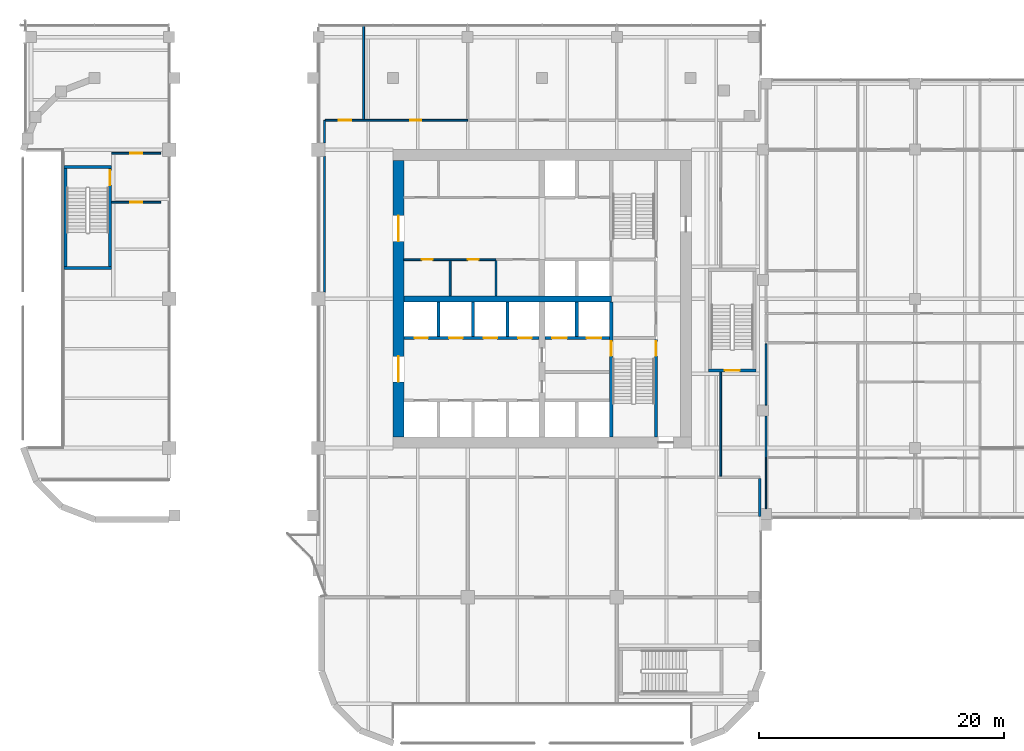
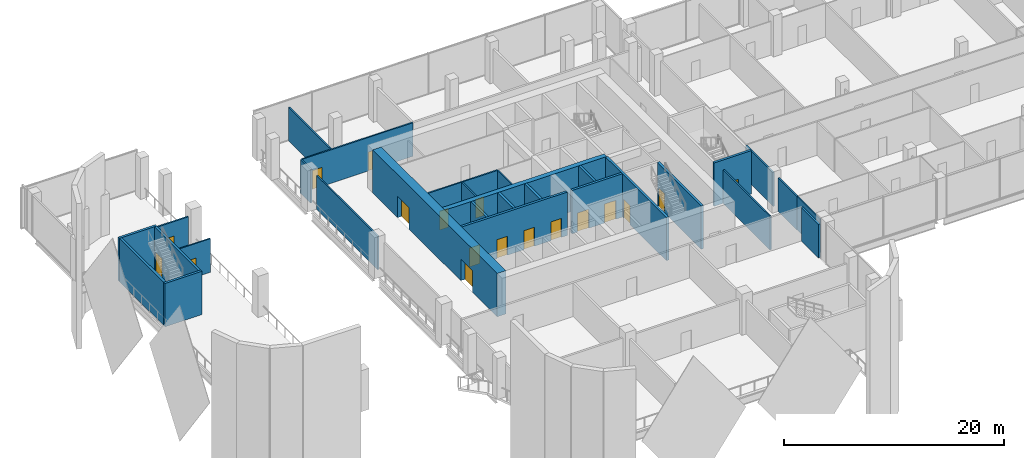
# One storey, part 23 of 33: 29 walls, 18 doors, 18 openings.
"""IFC4 building model written with IfcOpenShell, lengths in metres."""

from ifc_helpers import new_model, si_unit, direction, frame, frame_2d, origin, place, context, subcontext, project, spatial, rectangle, extrude, source, transform, mapped, material, layer, layer_set, type_object, element, fill, save


model = new_model("IFC4")

# Units and contexts
model_context = context("Model", 3, precision=1e-05, world=origin(), true_north=direction((0.0, 1.0)))
body_context = subcontext(model_context, "Body", "Model", "MODEL_VIEW")
ifc_project = project(units=[si_unit("LENGTHUNIT", "METRE"), si_unit("AREAUNIT", "SQUARE_METRE"), si_unit("VOLUMEUNIT", "CUBIC_METRE"), si_unit("PLANEANGLEUNIT", "RADIAN"), si_unit("MASSUNIT", "GRAM", prefix="KILO")], contexts=[model_context])

# Site, building, storey
site_placement = place(None, origin())
site = spatial("IfcSite", under=ifc_project, at=site_placement, CompositionType="ELEMENT")
building_placement = place(site_placement, origin())
building = spatial("IfcBuilding", under=site, at=building_placement, Name="Tessera Gate Towers", CompositionType="ELEMENT")
storey_placement = place(building_placement, frame((0.0, 0.0, 7.199951171875)))
storey = spatial("IfcBuildingStorey", under=building, at=storey_placement, Name="L01", CompositionType="ELEMENT", Elevation=7.199951171875)

# Wall, opening, door
ifc_material_1 = material(Name="Concrete C40/50", Category="concrete")
ifc_layer_1 = layer(ifc_material_1, 0.25)
ifc_layer_set_1 = layer_set([ifc_layer_1], Name="CORE ENCLOSURE WALL 250")
wall_type_1 = type_object("IfcWallType", Name="CORE ENCLOSURE WALL 250", PredefinedType="SOLIDWALL", material=ifc_layer_set_1)
wall_1_placement = place(storey_placement, frame((48.35009765625, 36.35009765625, 0.0), z_axis=(0.0, 0.0, 1.0), x_axis=(0.0, -1.0, 0.0)))
wall_1 = element("IfcWall", 1, at=wall_1_placement, inside=storey, type_object=wall_type_1, Name="L01 shaft and stair enclosure wall", PredefinedType="SOLIDWALL", context=body_context, shape_type="SweptSolid", body=[
    extrude(rectangle(XDim=11.050048828125, YDim=0.25, at=frame_2d((5.52490234375, 0.0))), origin(), (0.0, 0.0, 1.0), 4.800048828125),
])
shared_shape_1 = source(origin(), body_context, "Body", "SweptSolid", [
    extrude(rectangle(XDim=1.199951171875, YDim=2.10009765625, at=frame_2d((0.60009765625, 1.050048828125))), frame((0.0, 0.135009765625, 0.0), z_axis=(0.0, -1.0, 0.0), x_axis=(1.0, 0.0, 0.0)), (0.0, 0.0, 1.0), 0.27001953125),
])
opening_1_placement = place(wall_1_placement, frame((3.22509765625, 0.0, 0.0)))
opening_1 = element("IfcOpeningElement", 2, at=opening_1_placement, cuts=wall_1, Name="Opening SD-ST1-1", PredefinedType="OPENING", context=body_context, shape_type="MappedRepresentation", body=[
    mapped(shared_shape_1, transform((0.0, 0.0, 0.0), scale=1.0)),
])
ifc_material_2 = material(Name="Hollow steel fire door", Category="steel")
door_type_1 = type_object("IfcDoorType", Name="CORE DOOR SD 1200x2100", OperationType="NOTDEFINED", PredefinedType="DOOR", material=ifc_material_2)
shared_shape_2 = source(origin(), body_context, "Body", "SweptSolid", [
    extrude(rectangle(XDim=1.199951171875, YDim=2.10009765625, at=frame_2d((0.60009765625, 1.050048828125))), frame((0.0, 0.02490234375, 0.0), z_axis=(0.0, -1.0, 0.0), x_axis=(1.0, 0.0, 0.0)), (0.0, 0.0, 1.0), 0.050048828125),
])
door_1_placement = place(opening_1_placement, origin())
door_1 = element("IfcDoor", 3, at=door_1_placement, inside=storey, type_object=door_type_1, Name="Stair door", OperationType="SINGLE_SWING_LEFT", OverallHeight=2.10009765625, OverallWidth=1.199951171875, PredefinedType="DOOR", context=body_context, shape_type="MappedRepresentation", body=[
    mapped(shared_shape_2, transform((0.0, 0.0, 0.0), scale=1.0)),
])
fill(opening_1, door_1)

# Wall, openings, doors
wall_2_placement = place(storey_placement, frame((42.449951171875, 33.39990234375, 0.0), z_axis=(0.0, 0.0, 1.0), x_axis=(-1.0, 0.0, 0.0)))
wall_2 = element("IfcWall", 4, at=wall_2_placement, inside=storey, type_object=wall_type_1, Name="L01 shaft and stair enclosure wall", PredefinedType="SOLIDWALL", context=body_context, shape_type="SweptSolid", body=[
    extrude(rectangle(XDim=11.050048828125, YDim=0.25, at=frame_2d((5.52490234375, 0.0))), origin(), (0.0, 0.0, 1.0), 4.800048828125),
])
shared_shape_3 = source(origin(), body_context, "Body", "SweptSolid", [
    extrude(rectangle(XDim=1.10009765625, YDim=2.10009765625, at=frame_2d((0.550048828125, 1.050048828125))), frame((0.0, 0.135009765625, 0.0), z_axis=(0.0, -1.0, 0.0), x_axis=(1.0, 0.0, 0.0)), (0.0, 0.0, 1.0), 0.27001953125),
])
opening_2_placement = place(wall_2_placement, frame((9.08740234375, 0.0, 0.0)))
opening_2 = element("IfcOpeningElement", 5, at=opening_2_placement, cuts=wall_2, Name="Opening LD-LR5", PredefinedType="OPENING", context=body_context, shape_type="MappedRepresentation", body=[
    mapped(shared_shape_3, transform((0.0, 0.0, 0.0), scale=1.0)),
])
opening_3_placement = place(wall_2_placement, frame((6.262451171875, 0.0, 0.0)))
opening_3 = element("IfcOpeningElement", 6, at=opening_3_placement, cuts=wall_2, Name="Opening LD-LR6", PredefinedType="OPENING", context=body_context, shape_type="MappedRepresentation", body=[
    mapped(shared_shape_3, transform((0.0, 0.0, 0.0), scale=1.0)),
])
opening_4_placement = place(wall_2_placement, frame((3.4375, 0.0, 0.0)))
opening_4 = element("IfcOpeningElement", 7, at=opening_4_placement, cuts=wall_2, Name="Opening LD-LR7", PredefinedType="OPENING", context=body_context, shape_type="MappedRepresentation", body=[
    mapped(shared_shape_3, transform((0.0, 0.0, 0.0), scale=1.0)),
])
opening_5_placement = place(wall_2_placement, frame((0.612548828125, 0.0, 0.0)))
opening_5 = element("IfcOpeningElement", 8, at=opening_5_placement, cuts=wall_2, Name="Opening LD-LR8", PredefinedType="OPENING", context=body_context, shape_type="MappedRepresentation", body=[
    mapped(shared_shape_3, transform((0.0, 0.0, 0.0), scale=1.0)),
])
ifc_material_3 = material(Name="Stainless steel", Category="steel")
door_type_2 = type_object("IfcDoorType", Name="CORE DOOR LD 1100x2100", OperationType="DOUBLE_DOOR_SLIDING", PredefinedType="DOOR", material=ifc_material_3)
shared_shape_4 = source(origin(), body_context, "Body", "SweptSolid", [
    extrude(rectangle(XDim=1.10009765625, YDim=2.10009765625, at=frame_2d((0.550048828125, 1.050048828125))), frame((0.0, 0.02490234375, 0.0), z_axis=(0.0, -1.0, 0.0), x_axis=(1.0, 0.0, 0.0)), (0.0, 0.0, 1.0), 0.050048828125),
])
door_2_placement = place(opening_2_placement, origin())
door_2 = element("IfcDoor", 9, at=door_2_placement, inside=storey, type_object=door_type_2, Name="Landing door LR5 L01", OperationType="DOUBLE_DOOR_SLIDING", OverallHeight=2.10009765625, OverallWidth=1.10009765625, PredefinedType="DOOR", context=body_context, shape_type="MappedRepresentation", body=[
    mapped(shared_shape_4, transform((0.0, 0.0, 0.0), scale=1.0)),
])
fill(opening_2, door_2)
door_3_placement = place(opening_3_placement, origin())
door_3 = element("IfcDoor", 10, at=door_3_placement, inside=storey, type_object=door_type_2, Name="Landing door LR6 L01", OperationType="DOUBLE_DOOR_SLIDING", OverallHeight=2.10009765625, OverallWidth=1.10009765625, PredefinedType="DOOR", context=body_context, shape_type="MappedRepresentation", body=[
    mapped(shared_shape_4, transform((0.0, 0.0, 0.0), scale=1.0)),
])
fill(opening_3, door_3)
door_4_placement = place(opening_4_placement, origin())
door_4 = element("IfcDoor", 11, at=door_4_placement, inside=storey, type_object=door_type_2, Name="Landing door LR7 L01", OperationType="DOUBLE_DOOR_SLIDING", OverallHeight=2.10009765625, OverallWidth=1.10009765625, PredefinedType="DOOR", context=body_context, shape_type="MappedRepresentation", body=[
    mapped(shared_shape_4, transform((0.0, 0.0, 0.0), scale=1.0)),
])
fill(opening_4, door_4)
door_5_placement = place(opening_5_placement, origin())
door_5 = element("IfcDoor", 12, at=door_5_placement, inside=storey, type_object=door_type_2, Name="Landing door LR8 L01", OperationType="DOUBLE_DOOR_SLIDING", OverallHeight=2.10009765625, OverallWidth=1.10009765625, PredefinedType="DOOR", context=body_context, shape_type="MappedRepresentation", body=[
    mapped(shared_shape_4, transform((0.0, 0.0, 0.0), scale=1.0)),
])
fill(opening_5, door_5)

wall_3_placement = place(storey_placement, frame((48.22509765625, 33.39990234375, 0.0), z_axis=(0.0, 0.0, 1.0), x_axis=(-1.0, 0.0, 0.0)))
wall_3 = element("IfcWall", 13, at=wall_3_placement, inside=storey, type_object=wall_type_1, Name="L01 shaft and stair enclosure wall", PredefinedType="SOLIDWALL", context=body_context, shape_type="SweptSolid", body=[
    extrude(rectangle(XDim=5.275146484375, YDim=0.25, at=frame_2d((2.6376953125, 0.0))), origin(), (0.0, 0.0, 1.0), 4.800048828125),
])
opening_6_placement = place(wall_3_placement, frame((3.512451171875, 0.0, 0.0)))
opening_6 = element("IfcOpeningElement", 14, at=opening_6_placement, cuts=wall_3, Name="Opening LD-FF1", PredefinedType="OPENING", context=body_context, shape_type="MappedRepresentation", body=[
    mapped(shared_shape_1, transform((0.0, 0.0, 0.0), scale=1.0)),
])
opening_7_placement = place(wall_3_placement, frame((0.6875, 0.0, 0.0)))
opening_7 = element("IfcOpeningElement", 15, at=opening_7_placement, cuts=wall_3, Name="Opening LD-FF2", PredefinedType="OPENING", context=body_context, shape_type="MappedRepresentation", body=[
    mapped(shared_shape_1, transform((0.0, 0.0, 0.0), scale=1.0)),
])
ifc_material_4 = material(Name="Stainless steel", Category="steel")
door_type_3 = type_object("IfcDoorType", Name="CORE DOOR LD1200 1200x2100", OperationType="DOUBLE_DOOR_SLIDING", PredefinedType="DOOR", material=ifc_material_4)
door_6_placement = place(opening_6_placement, origin())
door_6 = element("IfcDoor", 16, at=door_6_placement, inside=storey, type_object=door_type_3, Name="Landing door FF1 L01", OperationType="DOUBLE_DOOR_SLIDING", OverallHeight=2.10009765625, OverallWidth=1.199951171875, PredefinedType="DOOR", context=body_context, shape_type="MappedRepresentation", body=[
    mapped(shared_shape_2, transform((0.0, 0.0, 0.0), scale=1.0)),
])
fill(opening_6, door_6)
door_7_placement = place(opening_7_placement, origin())
door_7 = element("IfcDoor", 17, at=door_7_placement, inside=storey, type_object=door_type_3, Name="Landing door FF2 L01", OperationType="DOUBLE_DOOR_SLIDING", OverallHeight=2.10009765625, OverallWidth=1.199951171875, PredefinedType="DOOR", context=body_context, shape_type="MappedRepresentation", body=[
    mapped(shared_shape_2, transform((0.0, 0.0, 0.0), scale=1.0)),
])
fill(opening_7, door_7)

# Wall, opening, door
wall_4_placement = place(storey_placement, frame((52.0, 25.300048828125, 0.0), z_axis=(0.0, 0.0, 1.0), x_axis=(0.0, 1.0, 0.0)))
wall_4 = element("IfcWall", 18, at=wall_4_placement, inside=storey, type_object=wall_type_1, Name="L01 shaft and stair enclosure wall", PredefinedType="SOLIDWALL", context=body_context, shape_type="SweptSolid", body=[
    extrude(rectangle(XDim=7.974853515625, YDim=0.25, at=frame_2d((3.9873046875, 0.0))), origin(), (0.0, 0.0, 1.0), 4.800048828125),
])
opening_8_placement = place(wall_4_placement, frame((6.625, 0.0, 0.0)))
opening_8 = element("IfcOpeningElement", 19, at=opening_8_placement, cuts=wall_4, Name="Opening SD-ST1-2", PredefinedType="OPENING", context=body_context, shape_type="MappedRepresentation", body=[
    mapped(shared_shape_1, transform((0.0, 0.0, 0.0), scale=1.0)),
])
door_8_placement = place(opening_8_placement, origin())
door_8 = element("IfcDoor", 20, at=door_8_placement, inside=storey, type_object=door_type_1, Name="Stair door", OperationType="SINGLE_SWING_RIGHT", OverallHeight=2.10009765625, OverallWidth=1.199951171875, PredefinedType="DOOR", context=body_context, shape_type="MappedRepresentation", body=[
    mapped(shared_shape_2, transform((0.0, 0.0, 0.0), scale=1.0)),
])
fill(opening_8, door_8)

# Walls
for number, where, z_axis, x_axis, name in (
    (21, (45.52490234375, 33.52490234375, 0.0), (0.0, 0.0, 1.0), (0.0, 1.0, 0.0), "L01 shaft and stair enclosure wall"),
    (22, (34.22509765625, 33.52490234375, 0.0), (0.0, 0.0, 1.0), (0.0, 1.0, 0.0), "L01 shaft and stair enclosure wall"),
    (23, (37.050048828125, 33.52490234375, 0.0), (0.0, 0.0, 1.0), (0.0, 1.0, 0.0), "L01 shaft and stair enclosure wall"),
    (24, (39.875, 33.52490234375, 0.0), (0.0, 0.0, 1.0), (0.0, 1.0, 0.0), "L01 shaft and stair enclosure wall"),
):
    element("IfcWall", number, at=place(storey_placement, frame(where, z_axis=z_axis, x_axis=x_axis)), inside=storey, type_object=wall_type_1, Name=name, PredefinedType="SOLIDWALL", context=body_context, shape_type="SweptSolid", body=[
        extrude(rectangle(XDim=2.8251953125, YDim=0.25, at=frame_2d((1.41259765625, 0.0))), origin(), (0.0, 0.0, 1.0), 4.800048828125),
    ])
wall_5_placement = place(storey_placement, frame((7.5, 39.125, 0.0), z_axis=(0.0, 0.0, 1.0), x_axis=(-1.0, 0.0, 0.0)))
element("IfcWall", 25, at=wall_5_placement, inside=storey, type_object=wall_type_1, Name="L01 ST3 enclosure wall", PredefinedType="SOLIDWALL", context=body_context, shape_type="SweptSolid", body=[
    extrude(rectangle(XDim=3.89990234375, YDim=0.25, at=frame_2d((1.949951171875, 0.0))), origin(), (0.0, 0.0, 1.0), 4.800048828125),
])
wall_6_placement = place(storey_placement, frame((3.72509765625, 39.25, 0.0), z_axis=(0.0, 0.0, 1.0), x_axis=(0.0, 1.0, 0.0)))
element("IfcWall", 26, at=wall_6_placement, inside=storey, type_object=wall_type_1, Name="L01 ST3 enclosure wall", PredefinedType="SOLIDWALL", context=body_context, shape_type="SweptSolid", body=[
    extrude(rectangle(XDim=8.0, YDim=0.25, at=frame_2d((4.0, 0.0))), origin(), (0.0, 0.0, 1.0), 4.800048828125),
])
wall_7_placement = place(storey_placement, frame((3.60009765625, 47.375, 0.0), z_axis=(0.0, 0.0, 1.0), x_axis=(1.0, 0.0, 0.0)))
element("IfcWall", 27, at=wall_7_placement, inside=storey, type_object=wall_type_1, Name="L01 ST3 enclosure wall", PredefinedType="SOLIDWALL", context=body_context, shape_type="SweptSolid", body=[
    extrude(rectangle(XDim=3.89990234375, YDim=0.25, at=frame_2d((1.949951171875, 0.0))), origin(), (0.0, 0.0, 1.0), 4.800048828125),
])

# Wall, opening, door
wall_8_placement = place(storey_placement, frame((7.375, 47.25, 0.0), z_axis=(0.0, 0.0, 1.0), x_axis=(0.0, -1.0, 0.0)))
wall_8 = element("IfcWall", 28, at=wall_8_placement, inside=storey, type_object=wall_type_1, Name="L01 ST3 enclosure wall", PredefinedType="SOLIDWALL", context=body_context, shape_type="SweptSolid", body=[
    extrude(rectangle(XDim=8.0, YDim=0.25, at=frame_2d((4.0, 0.0))), origin(), (0.0, 0.0, 1.0), 4.800048828125),
])
opening_9_placement = place(wall_8_placement, frame((0.14990234375, 0.0, 0.0)))
opening_9 = element("IfcOpeningElement", 29, at=opening_9_placement, cuts=wall_8, Name="Opening SD-ST3-1", PredefinedType="OPENING", context=body_context, shape_type="MappedRepresentation", body=[
    mapped(shared_shape_1, transform((0.0, 0.0, 0.0), scale=1.0)),
])
door_9_placement = place(opening_9_placement, origin())
door_9 = element("IfcDoor", 30, at=door_9_placement, inside=storey, type_object=door_type_1, Name="Stair door", OperationType="SINGLE_SWING_LEFT", OverallHeight=2.10009765625, OverallWidth=1.199951171875, PredefinedType="DOOR", context=body_context, shape_type="MappedRepresentation", body=[
    mapped(shared_shape_2, transform((0.0, 0.0, 0.0), scale=1.0)),
])
fill(opening_9, door_9)

wall_9_placement = place(storey_placement, frame((60.199951171875, 30.72509765625, 0.0), z_axis=(0.0, 0.0, 1.0), x_axis=(-1.0, 0.0, 0.0)))
wall_9 = element("IfcWall", 31, at=wall_9_placement, inside=storey, type_object=wall_type_1, Name="L01 ST5 enclosure wall", PredefinedType="SOLIDWALL", context=body_context, shape_type="SweptSolid", body=[
    extrude(rectangle(XDim=3.89990234375, YDim=0.25, at=frame_2d((1.949951171875, 0.0))), origin(), (0.0, 0.0, 1.0), 4.800048828125),
])
opening_10_placement = place(wall_9_placement, frame((1.35009765625, 0.0, 0.0)))
opening_10 = element("IfcOpeningElement", 32, at=opening_10_placement, cuts=wall_9, Name="Opening SD-ST5-1", PredefinedType="OPENING", context=body_context, shape_type="MappedRepresentation", body=[
    mapped(shared_shape_1, transform((0.0, 0.0, 0.0), scale=1.0)),
])
door_10_placement = place(opening_10_placement, origin())
door_10 = element("IfcDoor", 33, at=door_10_placement, inside=storey, type_object=door_type_1, Name="Stair door", OperationType="SINGLE_SWING_LEFT", OverallHeight=2.10009765625, OverallWidth=1.199951171875, PredefinedType="DOOR", context=body_context, shape_type="MappedRepresentation", body=[
    mapped(shared_shape_2, transform((0.0, 0.0, 0.0), scale=1.0)),
])
fill(opening_10, door_10)

# Wall, openings, doors
ifc_material_5 = material(Name="Concrete C70/85", Category="concrete")
ifc_layer_2 = layer(ifc_material_5, 0.89990234375)
ifc_layer_set_2 = layer_set([ifc_layer_2], Name="CORE SHEAR WALL 900 C70/85")
wall_type_2 = type_object("IfcWallType", Name="CORE SHEAR WALL 900 C70/85", PredefinedType="SHEAR", material=ifc_layer_set_2)
wall_10_placement = place(storey_placement, frame((30.949951171875, 25.300048828125, 0.0), z_axis=(0.0, 0.0, 1.0), x_axis=(0.0, 1.0, 0.0)))
wall_10 = element("IfcWall", 34, at=wall_10_placement, inside=storey, type_object=wall_type_2, Name="Core wall W L01", PredefinedType="SHEAR", context=body_context, shape_type="SweptSolid", body=[
    extrude(rectangle(XDim=22.599853515625, YDim=0.89990234375, at=frame_2d((11.2998046875, 0.0))), origin(), (0.0, 0.0, 1.0), 4.800048828125),
])
shared_shape_5 = source(origin(), body_context, "Body", "SweptSolid", [
    extrude(rectangle(XDim=2.10009765625, YDim=2.39990234375, at=frame_2d((1.050048828125, 1.199951171875))), frame((0.0, 0.4599609375, 0.0), z_axis=(0.0, -1.0, 0.0), x_axis=(1.0, 0.0, 0.0)), (0.0, 0.0, 1.0), 0.919921875),
])
opening_11_placement = place(wall_10_placement, frame((4.5, 0.0, 0.0)))
opening_11 = element("IfcOpeningElement", 35, at=opening_11_placement, cuts=wall_10, Name="Opening DD-T1-03-02", PredefinedType="OPENING", context=body_context, shape_type="MappedRepresentation", body=[
    mapped(shared_shape_5, transform((0.0, 0.0, 0.0), scale=1.0)),
])
opening_12_placement = place(wall_10_placement, frame((16.0, 0.0, 0.0)))
opening_12 = element("IfcOpeningElement", 36, at=opening_12_placement, cuts=wall_10, Name="Opening DD-T1-03-03", PredefinedType="OPENING", context=body_context, shape_type="MappedRepresentation", body=[
    mapped(shared_shape_5, transform((0.0, 0.0, 0.0), scale=1.0)),
])
ifc_material_6 = material(Name="Hollow steel fire door", Category="steel")
door_type_4 = type_object("IfcDoorType", Name="CORE DOOR DD 2100x2400", OperationType="NOTDEFINED", PredefinedType="DOOR", material=ifc_material_6)
shared_shape_6 = source(origin(), body_context, "Body", "SweptSolid", [
    extrude(rectangle(XDim=2.10009765625, YDim=2.39990234375, at=frame_2d((1.050048828125, 1.199951171875))), frame((0.0, 0.02490234375, 0.0), z_axis=(0.0, -1.0, 0.0), x_axis=(1.0, 0.0, 0.0)), (0.0, 0.0, 1.0), 0.050048828125),
])
door_11_placement = place(opening_11_placement, origin())
door_11 = element("IfcDoor", 37, at=door_11_placement, inside=storey, type_object=door_type_4, Name="Core entrance door", OperationType="DOUBLE_DOOR_SINGLE_SWING", OverallHeight=2.39990234375, OverallWidth=2.10009765625, PredefinedType="DOOR", context=body_context, shape_type="MappedRepresentation", body=[
    mapped(shared_shape_6, transform((0.0, 0.0, 0.0), scale=1.0)),
])
fill(opening_11, door_11)
door_12_placement = place(opening_12_placement, origin())
door_12 = element("IfcDoor", 38, at=door_12_placement, inside=storey, type_object=door_type_4, Name="Core entrance door", OperationType="DOUBLE_DOOR_SINGLE_SWING", OverallHeight=2.39990234375, OverallWidth=2.10009765625, PredefinedType="DOOR", context=body_context, shape_type="MappedRepresentation", body=[
    mapped(shared_shape_6, transform((0.0, 0.0, 0.0), scale=1.0)),
])
fill(opening_12, door_12)

# Walls
ifc_material_7 = material(Name="Concrete C70/85", Category="concrete")
ifc_layer_3 = layer(ifc_material_7, 0.5)
ifc_layer_set_3 = layer_set([ifc_layer_3], Name="CORE SPINE WALL 500 C70/85")
wall_type_3 = type_object("IfcWallType", Name="CORE SPINE WALL 500 C70/85", PredefinedType="SHEAR", material=ifc_layer_set_3)
wall_11_placement = place(storey_placement, frame((31.39990234375, 36.60009765625, 0.0), z_axis=(0.0, 0.0, 1.0), x_axis=(1.0, 0.0, 0.0)))
element("IfcWall", 39, at=wall_11_placement, inside=storey, type_object=wall_type_3, Name="Core wall spine L01", PredefinedType="SHEAR", context=body_context, shape_type="SweptSolid", body=[
    extrude(rectangle(XDim=16.9501953125, YDim=0.5, at=frame_2d((8.47509765625, 0.0))), origin(), (0.0, 0.0, 1.0), 4.800048828125),
])
ifc_material_8 = material(Name="Gypsum board on steel studs, mineral wool", Category="steel")
ifc_layer_4 = layer(ifc_material_8, 0.14990234375)
ifc_layer_set_4 = layer_set([ifc_layer_4], Name="CORRIDOR WALL 150")
wall_type_4 = type_object("IfcWallType", Name="CORRIDOR WALL 150", PredefinedType="PARTITIONING", material=ifc_layer_set_4)
wall_12_placement = place(storey_placement, frame((57.300048828125, 22.10107421875, 0.0), z_axis=(0.0, 0.0, 1.0), x_axis=(0.0, 1.0, 0.0)))
element("IfcWall", 40, at=wall_12_placement, inside=storey, type_object=wall_type_4, Name="PODIUM-L01-PW-030", PredefinedType="PARTITIONING", context=body_context, shape_type="SweptSolid", body=[
    extrude(rectangle(XDim=8.4990234375, YDim=0.14990234375, at=frame_2d((4.24951171875, 0.0))), origin(), (0.0, 0.0, 1.0), 3.715087890625),
])
wall_13_placement = place(storey_placement, frame((24.89990234375, 37.15087890625, 0.0), z_axis=(0.0, 0.0, 1.0), x_axis=(0.0, 1.0, 0.0)))
element("IfcWall", 41, at=wall_13_placement, inside=storey, type_object=wall_type_4, Name="PODIUM-L01-PW-081", PredefinedType="PARTITIONING", context=body_context, shape_type="SweptSolid", body=[
    extrude(rectangle(XDim=11.09814453125, YDim=0.14990234375, at=frame_2d((5.549072265625, 0.0))), origin(), (0.0, 0.0, 1.0), 3.715087890625),
])

# Wall, opening, door
wall_14_placement = place(storey_placement, frame((11.5, 44.5, 0.0), z_axis=(0.0, 0.0, 1.0), x_axis=(-1.0, 0.0, 0.0)))
wall_14 = element("IfcWall", 42, at=wall_14_placement, inside=storey, type_object=wall_type_4, Name="PODIUM-L01-PW-087", PredefinedType="PARTITIONING", context=body_context, shape_type="SweptSolid", body=[
    extrude(rectangle(XDim=4.0, YDim=0.14990234375, at=frame_2d((2.0, 0.0))), origin(), (0.0, 0.0, 1.0), 3.715087890625),
])
shared_shape_7 = source(origin(), body_context, "Body", "SweptSolid", [
    extrude(rectangle(XDim=1.0, YDim=2.10009765625, at=frame_2d((0.5, 1.050048828125))), frame((0.0, 0.0849609375, 0.0), z_axis=(0.0, -1.0, 0.0), x_axis=(1.0, 0.0, 0.0)), (0.0, 0.0, 1.0), 0.169921875),
])
opening_13_placement = place(wall_14_placement, frame((1.5, 0.0, 0.0)))
opening_13 = element("IfcOpeningElement", 43, at=opening_13_placement, cuts=wall_14, Name="Opening D2100FD60-P02-01", PredefinedType="OPENING", context=body_context, shape_type="MappedRepresentation", body=[
    mapped(shared_shape_7, transform((0.0, 0.0, 0.0), scale=1.0)),
])
ifc_material_9 = material(Name="Timber door leaf in steel frame", Category="steel")
door_type_5 = type_object("IfcDoorType", Name="TENANCY ENTRANCE DOOR 1000 FD60", OperationType="NOTDEFINED", PredefinedType="DOOR", material=ifc_material_9)
shared_shape_8 = source(origin(), body_context, "Body", "SweptSolid", [
    extrude(rectangle(XDim=1.0, YDim=2.10009765625, at=frame_2d((0.5, 1.050048828125))), frame((0.0, 0.02490234375, 0.0), z_axis=(0.0, -1.0, 0.0), x_axis=(1.0, 0.0, 0.0)), (0.0, 0.0, 1.0), 0.050048828125),
])
door_13_placement = place(opening_13_placement, origin())
door_13 = element("IfcDoor", 44, at=door_13_placement, inside=storey, type_object=door_type_5, Name="PODIUM-L01-PD-004", OperationType="SINGLE_SWING_RIGHT", OverallHeight=2.10009765625, OverallWidth=1.0, PredefinedType="DOOR", context=body_context, shape_type="MappedRepresentation", body=[
    mapped(shared_shape_8, transform((0.0, 0.0, 0.0), scale=1.0)),
])
fill(opening_13, door_13)

# Wall
wall_15_placement = place(storey_placement, frame((24.89990234375, 49.35107421875, 0.0), z_axis=(0.0, 0.0, 1.0), x_axis=(0.0, 1.0, 0.0)))
element("IfcWall", 45, at=wall_15_placement, inside=storey, type_object=wall_type_4, Name="PODIUM-L01-PW-109", PredefinedType="PARTITIONING", context=body_context, shape_type="SweptSolid", body=[
    extrude(rectangle(XDim=1.848876953125, YDim=0.14990234375, at=frame_2d((0.92431640625, 0.0))), origin(), (0.0, 0.0, 1.0), 3.715087890625),
])

# Wall, openings, doors
wall_16_placement = place(storey_placement, frame((24.97607421875, 51.199951171875, 0.0), z_axis=(0.0, 0.0, 1.0), x_axis=(1.0, 0.0, 0.0)))
wall_16 = element("IfcWall", 46, at=wall_16_placement, inside=storey, type_object=wall_type_4, Name="PODIUM-L01-PW-110", PredefinedType="PARTITIONING", context=body_context, shape_type="SweptSolid", body=[
    extrude(rectangle(XDim=11.623046875, YDim=0.14990234375, at=frame_2d((5.8115234375, 0.0))), origin(), (0.0, 0.0, 1.0), 3.715087890625),
])
shared_shape_9 = source(origin(), body_context, "Body", "SweptSolid", [
    extrude(rectangle(XDim=0.89990234375, YDim=2.10009765625, at=frame_2d((0.449951171875, 1.050048828125))), frame((0.0, 0.0849609375, 0.0), z_axis=(0.0, -1.0, 0.0), x_axis=(1.0, 0.0, 0.0)), (0.0, 0.0, 1.0), 0.169921875),
])
opening_14_placement = place(wall_16_placement, frame((6.924072265625, 0.0, 0.0)))
opening_14 = element("IfcOpeningElement", 47, at=opening_14_placement, cuts=wall_16, Name="Opening D890FD60-P02-05", PredefinedType="OPENING", context=body_context, shape_type="MappedRepresentation", body=[
    mapped(shared_shape_9, transform((0.0, 0.0, 0.0), scale=1.0)),
])
opening_15_placement = place(wall_16_placement, frame((1.10009765625, 0.0, 0.0)))
opening_15 = element("IfcOpeningElement", 48, at=opening_15_placement, cuts=wall_16, Name="Opening D2100FD60-P02-11", PredefinedType="OPENING", context=body_context, shape_type="MappedRepresentation", body=[
    mapped(shared_shape_7, transform((0.0, 0.0, 0.0), scale=1.0)),
])
ifc_material_10 = material(Name="Timber door leaf in steel frame", Category="steel")
door_type_6 = type_object("IfcDoorType", Name="CORRIDOR DOOR 900 FD60", OperationType="NOTDEFINED", PredefinedType="DOOR", material=ifc_material_10)
shared_shape_10 = source(origin(), body_context, "Body", "SweptSolid", [
    extrude(rectangle(XDim=0.89990234375, YDim=2.10009765625, at=frame_2d((0.449951171875, 1.050048828125))), frame((0.0, 0.02490234375, 0.0), z_axis=(0.0, -1.0, 0.0), x_axis=(1.0, 0.0, 0.0)), (0.0, 0.0, 1.0), 0.050048828125),
])
door_14_placement = place(opening_14_placement, origin())
door_14 = element("IfcDoor", 49, at=door_14_placement, inside=storey, type_object=door_type_6, Name="PODIUM-L01-PD-035", OperationType="SINGLE_SWING_LEFT", OverallHeight=2.10009765625, OverallWidth=0.89990234375, PredefinedType="DOOR", context=body_context, shape_type="MappedRepresentation", body=[
    mapped(shared_shape_10, transform((0.0, 0.0, 0.0), scale=1.0)),
])
fill(opening_14, door_14)
door_15_placement = place(opening_15_placement, origin())
door_15 = element("IfcDoor", 50, at=door_15_placement, inside=storey, type_object=door_type_5, Name="PODIUM-L01-PD-059", OperationType="SINGLE_SWING_LEFT", OverallHeight=2.10009765625, OverallWidth=1.0, PredefinedType="DOOR", context=body_context, shape_type="MappedRepresentation", body=[
    mapped(shared_shape_8, transform((0.0, 0.0, 0.0), scale=1.0)),
])
fill(opening_15, door_15)

# Walls
ifc_material_11 = material(Name="Glass", Category="glass")
ifc_layer_5 = layer(ifc_material_11, 0.10009765625)
ifc_layer_set_5 = layer_set([ifc_layer_5], Name="GLAZED PARTITION 100")
wall_type_5 = type_object("IfcWallType", Name="GLAZED PARTITION 100", PredefinedType="PARTITIONING", material=ifc_layer_set_5)
wall_17_placement = place(storey_placement, frame((61.0, 19.450927734375, 0.0), z_axis=(0.0, 0.0, 1.0), x_axis=(0.0, 1.0, 0.0)))
element("IfcWall", 51, at=wall_17_placement, inside=storey, type_object=wall_type_5, Name="PODIUM-L01-PW-025", PredefinedType="PARTITIONING", context=body_context, shape_type="SweptSolid", body=[
    extrude(rectangle(XDim=4.16796875, YDim=0.10009765625, at=frame_2d((2.083984375, 0.0))), origin(), (0.0, 0.0, 1.0), 3.715087890625),
])
ifc_material_12 = material(Name="Concrete masonry unit", Category="masonry")
ifc_layer_6 = layer(ifc_material_12, 0.199951171875)
ifc_layer_set_6 = layer_set([ifc_layer_6], Name="PLANT WALL 200")
wall_type_6 = type_object("IfcWallType", Name="PLANT WALL 200", PredefinedType="PARTITIONING", material=ifc_layer_set_6)
wall_18_placement = place(storey_placement, frame((60.5, 18.800048828125, 0.0), z_axis=(0.0, 0.0, 1.0), x_axis=(0.0, 1.0, 0.0)))
element("IfcWall", 52, at=wall_18_placement, inside=storey, type_object=wall_type_6, Name="PODIUM-L01-PW-009", PredefinedType="PARTITIONING", context=body_context, shape_type="SweptSolid", body=[
    extrude(rectangle(XDim=3.098876953125, YDim=0.199951171875, at=frame_2d((1.54931640625, 0.0))), origin(), (0.0, 0.0, 1.0), 3.715087890625),
])

# Wall, openings, doors
ifc_material_13 = material(Name="Gypsum board on steel studs", Category="steel")
ifc_layer_7 = layer(ifc_material_13, 0.14990234375)
ifc_layer_set_7 = layer_set([ifc_layer_7], Name="SERVICE ROOM WALL 150")
wall_type_7 = type_object("IfcWallType", Name="SERVICE ROOM WALL 150", PredefinedType="PARTITIONING", material=ifc_layer_set_7)
wall_19_placement = place(storey_placement, frame((38.925048828125, 39.800048828125, 0.0), z_axis=(0.0, 0.0, 1.0), x_axis=(-1.0, 0.0, 0.0)))
wall_19 = element("IfcWall", 53, at=wall_19_placement, inside=storey, type_object=wall_type_7, Name="L01 service room wall", PredefinedType="PARTITIONING", context=body_context, shape_type="SweptSolid", body=[
    extrude(rectangle(XDim=7.525146484375, YDim=0.14990234375, at=frame_2d((3.7626953125, 0.0))), origin(), (0.0, 0.0, 1.0), 4.550048828125),
])
opening_16_placement = place(wall_19_placement, frame((5.1875, 0.0, 0.0)))
opening_16 = element("IfcOpeningElement", 54, at=opening_16_placement, cuts=wall_19, Name="Opening RD-T1-03-09", PredefinedType="OPENING", context=body_context, shape_type="MappedRepresentation", body=[
    mapped(shared_shape_9, transform((0.0, 0.0, 0.0), scale=1.0)),
])
opening_17_placement = place(wall_19_placement, frame((1.425048828125, 0.0, 0.0)))
opening_17 = element("IfcOpeningElement", 55, at=opening_17_placement, cuts=wall_19, Name="Opening RD-T1-03-10", PredefinedType="OPENING", context=body_context, shape_type="MappedRepresentation", body=[
    mapped(shared_shape_9, transform((0.0, 0.0, 0.0), scale=1.0)),
])
ifc_material_14 = material(Name="Hollow steel fire door", Category="steel")
door_type_7 = type_object("IfcDoorType", Name="CORE DOOR RD 900x2100", OperationType="NOTDEFINED", PredefinedType="DOOR", material=ifc_material_14)
door_16_placement = place(opening_16_placement, origin())
door_16 = element("IfcDoor", 56, at=door_16_placement, inside=storey, type_object=door_type_7, Name="Core room door", OperationType="SINGLE_SWING_RIGHT", OverallHeight=2.10009765625, OverallWidth=0.89990234375, PredefinedType="DOOR", context=body_context, shape_type="MappedRepresentation", body=[
    mapped(shared_shape_10, transform((0.0, 0.0, 0.0), scale=1.0)),
])
fill(opening_16, door_16)
door_17_placement = place(opening_17_placement, origin())
door_17 = element("IfcDoor", 57, at=door_17_placement, inside=storey, type_object=door_type_7, Name="Core room door", OperationType="SINGLE_SWING_LEFT", OverallHeight=2.10009765625, OverallWidth=0.89990234375, PredefinedType="DOOR", context=body_context, shape_type="MappedRepresentation", body=[
    mapped(shared_shape_10, transform((0.0, 0.0, 0.0), scale=1.0)),
])
fill(opening_17, door_17)

# Walls
for number, where, z_axis, x_axis, name in (
    (58, (35.175048828125, 36.85009765625, 0.0), (0.0, 0.0, 1.0), (0.0, 1.0, 0.0), "L01 service room wall"),
    (59, (38.925048828125, 36.85009765625, 0.0), (0.0, 0.0, 1.0), (0.0, 1.0, 0.0), "L01 service room wall"),
):
    element("IfcWall", number, at=place(storey_placement, frame(where, z_axis=z_axis, x_axis=x_axis)), inside=storey, type_object=wall_type_7, Name=name, PredefinedType="PARTITIONING", context=body_context, shape_type="SweptSolid", body=[
        extrude(rectangle(XDim=2.875, YDim=0.14990234375, at=frame_2d((1.4375, 0.0))), origin(), (0.0, 0.0, 1.0), 4.550048828125),
    ])

# Wall, opening, door
ifc_material_15 = material(Name="Gypsum board on steel studs, mineral wool", Category="steel")
ifc_layer_8 = layer(ifc_material_15, 0.14990234375)
ifc_layer_set_8 = layer_set([ifc_layer_8], Name="STORE WALL 150")
wall_type_8 = type_object("IfcWallType", Name="STORE WALL 150", PredefinedType="PARTITIONING", material=ifc_layer_set_8)
wall_20_placement = place(storey_placement, frame((7.5, 48.5, 0.0), z_axis=(0.0, 0.0, 1.0), x_axis=(1.0, 0.0, 0.0)))
wall_20 = element("IfcWall", 60, at=wall_20_placement, inside=storey, type_object=wall_type_8, Name="PODIUM-L01-PW-095", PredefinedType="PARTITIONING", context=body_context, shape_type="SweptSolid", body=[
    extrude(rectangle(XDim=4.0, YDim=0.14990234375, at=frame_2d((2.0, 0.0))), origin(), (0.0, 0.0, 1.0), 3.715087890625),
])
opening_18_placement = place(wall_20_placement, frame((1.5, 0.0, 0.0)))
opening_18 = element("IfcOpeningElement", 61, at=opening_18_placement, cuts=wall_20, Name="Opening D4100FD60-P02-01", PredefinedType="OPENING", context=body_context, shape_type="MappedRepresentation", body=[
    mapped(shared_shape_7, transform((0.0, 0.0, 0.0), scale=1.0)),
])
ifc_material_16 = material(Name="Timber door leaf in steel frame", Category="steel")
door_type_8 = type_object("IfcDoorType", Name="STORE DOOR 1000 FD60", OperationType="NOTDEFINED", PredefinedType="DOOR", material=ifc_material_16)
door_18_placement = place(opening_18_placement, origin())
door_18 = element("IfcDoor", 62, at=door_18_placement, inside=storey, type_object=door_type_8, Name="PODIUM-L01-PD-003", OperationType="SINGLE_SWING_LEFT", OverallHeight=2.10009765625, OverallWidth=1.0, PredefinedType="DOOR", context=body_context, shape_type="MappedRepresentation", body=[
    mapped(shared_shape_8, transform((0.0, 0.0, 0.0), scale=1.0)),
])
fill(opening_18, door_18)

# Walls
ifc_material_17 = material(Name="Gypsum board on steel studs, mineral wool", Category="steel")
ifc_layer_9 = layer(ifc_material_17, 0.14990234375)
ifc_layer_set_9 = layer_set([ifc_layer_9], Name="TENANCY WALL 150")
wall_type_9 = type_object("IfcWallType", Name="TENANCY WALL 150", PredefinedType="PARTITIONING", material=ifc_layer_set_9)
wall_21_placement = place(storey_placement, frame((61.0, 23.6201171875, 0.0), z_axis=(0.0, 0.0, 1.0), x_axis=(0.0, 1.0, 0.0)))
element("IfcWall", 63, at=wall_21_placement, inside=storey, type_object=wall_type_9, Name="PODIUM-L01-PW-032", PredefinedType="PARTITIONING", context=body_context, shape_type="SweptSolid", body=[
    extrude(rectangle(XDim=3.37890625, YDim=0.14990234375, at=frame_2d((1.689453125, 0.0))), origin(), (0.0, 0.0, 1.0), 3.715087890625),
])
wall_22_placement = place(storey_placement, frame((61.0, 27.90087890625, 0.0), z_axis=(0.0, 0.0, 1.0), x_axis=(0.0, 1.0, 0.0)))
element("IfcWall", 64, at=wall_22_placement, inside=storey, type_object=wall_type_9, Name="PODIUM-L01-PW-052", PredefinedType="PARTITIONING", context=body_context, shape_type="SweptSolid", body=[
    extrude(rectangle(XDim=5.023193359375, YDim=0.14990234375, at=frame_2d((2.51171875, 0.0))), origin(), (0.0, 0.0, 1.0), 3.715087890625),
])
wall_23_placement = place(storey_placement, frame((28.10009765625, 51.27587890625, 0.0), z_axis=(0.0, 0.0, 1.0), x_axis=(0.0, 1.0, 0.0)))
element("IfcWall", 65, at=wall_23_placement, inside=storey, type_object=wall_type_9, Name="PODIUM-L01-PW-118", PredefinedType="PARTITIONING", context=body_context, shape_type="SweptSolid", body=[
    extrude(rectangle(XDim=7.6240234375, YDim=0.14990234375, at=frame_2d((3.81201171875, 0.0))), origin(), (0.0, 0.0, 1.0), 3.715087890625),
])

save(model, "model.ifc")
